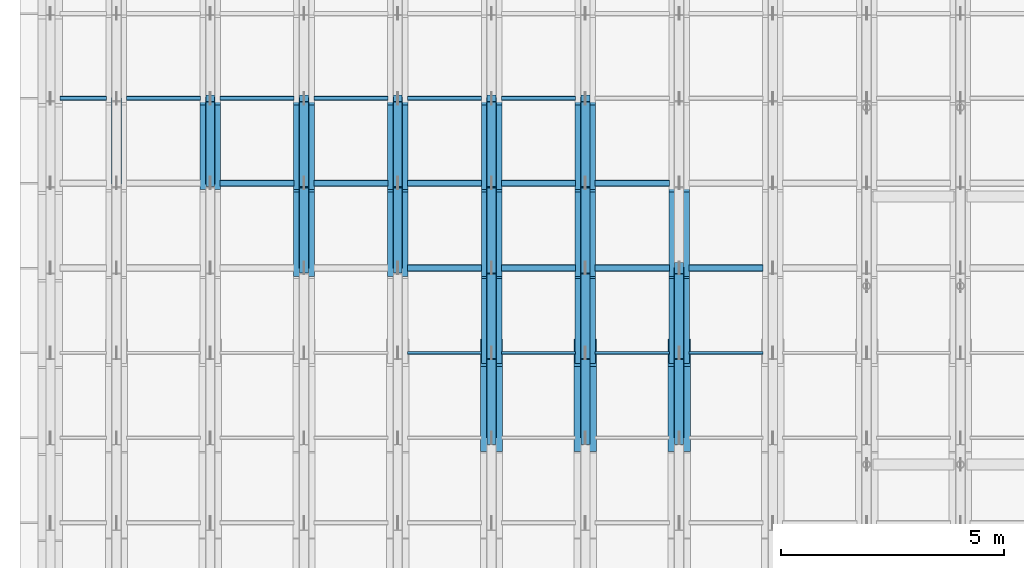
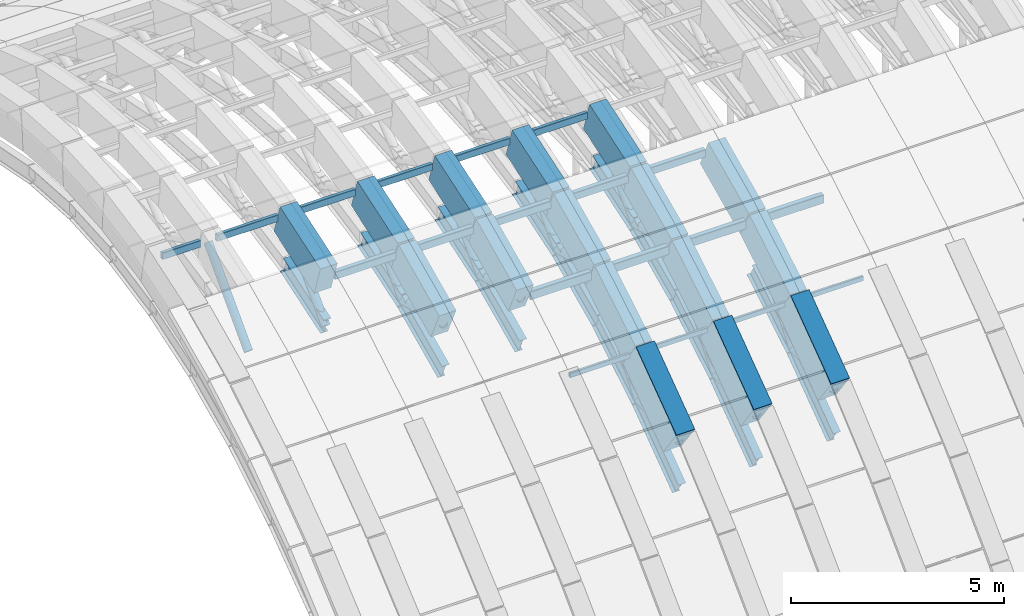
# One storey, part 4 of 67: 35 members, 31 beams.
"""IFC4 building model written with IfcOpenShell, lengths in metres."""

from ifc_helpers import new_model, si_unit, direction, frame, origin, origin_2d, place, context, subcontext, project, spatial, rectangle, hollow_rectangle, hollow_circle, i_section, extrude, material, material_profile, profile_set, type_object, element, save


model = new_model("IFC4")

# Units and contexts
model_context = context("Model", 3, precision=1e-05, world=origin(), true_north=direction((0.0, 1.0)))
body_context = subcontext(model_context, "Body", "Model", "MODEL_VIEW")
ifc_project = project(units=[si_unit("LENGTHUNIT", "METRE"), si_unit("AREAUNIT", "SQUARE_METRE"), si_unit("VOLUMEUNIT", "CUBIC_METRE"), si_unit("PLANEANGLEUNIT", "RADIAN"), si_unit("MASSUNIT", "GRAM", prefix="KILO")], contexts=[model_context])

# Site, building, storey
site_placement = place(None, origin())
site = spatial("IfcSite", under=ifc_project, at=site_placement, CompositionType="ELEMENT")
building_placement = place(site_placement, origin())
building = spatial("IfcBuilding", under=site, at=building_placement, Name="Shengluoqiao Park Theatre", CompositionType="ELEMENT")
storey_placement = place(building_placement, frame((0.0, 0.0, 28.60009765625)))
storey = spatial("IfcBuildingStorey", under=building, at=storey_placement, Name="Roof", CompositionType="ELEMENT", Elevation=28.60009765625)

# Beams
ifc_material_1 = material(Name="Concrete C50", Category="concrete")
ifc_material_profile_1 = material_profile(ifc_material_1, rectangle(XDim=0.4599609375, YDim=0.919921875, at=origin_2d()), Name="RC ARCH 460x920")
ifc_profile_set_1 = profile_set([ifc_material_profile_1], Name="Concrete C50")
beam_type_1 = type_object("IfcBeamType", Name="STR-BM-AR-4609", PredefinedType="BEAM", material=ifc_profile_set_1)
beam_1_placement = place(storey_placement, frame((48.60009765625, 89.300048828125, 1.44580078125), z_axis=(0.0, 0.949157901431, 0.314800378257), x_axis=(-1.0, 0.0, 0.0)))
element("IfcBeam", 1, at=beam_1_placement, inside=storey, type_object=beam_type_1, Name="Barrel-Shell Arch Rib R03-S08", PredefinedType="BEAM", context=body_context, shape_type="SweptSolid", body=[
    extrude(rectangle(XDim=0.4599609375, YDim=0.919921875, at=origin_2d()), origin(), (0.0, 0.0, 1.0), 2.001708984375),
])
beam_2_placement = place(storey_placement, frame((50.699951171875, 87.39990234375, 0.56396484375), z_axis=(0.0, 0.907077318021, 0.420964059192), x_axis=(-1.0, 0.0, 0.0)))
element("IfcBeam", 2, at=beam_2_placement, inside=storey, type_object=beam_type_1, Name="Barrel-Shell Arch Rib R04-S07", PredefinedType="BEAM", context=body_context, shape_type="SweptSolid", body=[
    extrude(rectangle(XDim=0.4599609375, YDim=0.919921875, at=origin_2d()), origin(), (0.0, 0.0, 1.0), 2.0947265625),
])
beam_3_placement = place(storey_placement, frame((50.699951171875, 89.300048828125, 1.44580078125), z_axis=(0.0, 0.949157901431, 0.314800378257), x_axis=(-1.0, 0.0, 0.0)))
element("IfcBeam", 3, at=beam_3_placement, inside=storey, type_object=beam_type_1, Name="Barrel-Shell Arch Rib R04-S08", PredefinedType="BEAM", context=body_context, shape_type="SweptSolid", body=[
    extrude(rectangle(XDim=0.4599609375, YDim=0.919921875, at=origin_2d()), origin(), (0.0, 0.0, 1.0), 2.001708984375),
])
beam_4_placement = place(storey_placement, frame((52.800048828125, 87.39990234375, 0.56396484375), z_axis=(0.0, 0.907077318021, 0.420964059192), x_axis=(-1.0, 0.0, 0.0)))
element("IfcBeam", 4, at=beam_4_placement, inside=storey, type_object=beam_type_1, Name="Barrel-Shell Arch Rib R05-S07", PredefinedType="BEAM", context=body_context, shape_type="SweptSolid", body=[
    extrude(rectangle(XDim=0.4599609375, YDim=0.919921875, at=origin_2d()), origin(), (0.0, 0.0, 1.0), 2.0947265625),
])
beam_5_placement = place(storey_placement, frame((52.800048828125, 89.300048828125, 1.44580078125), z_axis=(0.0, 0.949157901431, 0.314800378257), x_axis=(-1.0, 0.0, 0.0)))
element("IfcBeam", 5, at=beam_5_placement, inside=storey, type_object=beam_type_1, Name="Barrel-Shell Arch Rib R05-S08", PredefinedType="BEAM", context=body_context, shape_type="SweptSolid", body=[
    extrude(rectangle(XDim=0.4599609375, YDim=0.919921875, at=origin_2d()), origin(), (0.0, 0.0, 1.0), 2.001708984375),
])
beam_6_placement = place(storey_placement, frame((54.89990234375, 85.5, -0.570068359375), z_axis=(0.0, 0.858668723557, 0.512530997292), x_axis=(-1.0, 0.0, 0.0)))
element("IfcBeam", 6, at=beam_6_placement, inside=storey, type_object=beam_type_1, Name="Barrel-Shell Arch Rib R06-S06", PredefinedType="BEAM", context=body_context, shape_type="SweptSolid", body=[
    extrude(rectangle(XDim=0.4599609375, YDim=0.919921875, at=origin_2d()), origin(), (0.0, 0.0, 1.0), 2.212646484375),
])
beam_7_placement = place(storey_placement, frame((54.89990234375, 87.39990234375, 0.56396484375), z_axis=(0.0, 0.907077318021, 0.420964059192), x_axis=(-1.0, 0.0, 0.0)))
element("IfcBeam", 7, at=beam_7_placement, inside=storey, type_object=beam_type_1, Name="Barrel-Shell Arch Rib R06-S07", PredefinedType="BEAM", context=body_context, shape_type="SweptSolid", body=[
    extrude(rectangle(XDim=0.4599609375, YDim=0.919921875, at=origin_2d()), origin(), (0.0, 0.0, 1.0), 2.0947265625),
])
beam_8_placement = place(storey_placement, frame((54.89990234375, 89.300048828125, 1.44580078125), z_axis=(0.0, 0.949157901431, 0.314800378257), x_axis=(-1.0, 0.0, 0.0)))
element("IfcBeam", 8, at=beam_8_placement, inside=storey, type_object=beam_type_1, Name="Barrel-Shell Arch Rib R06-S08", PredefinedType="BEAM", context=body_context, shape_type="SweptSolid", body=[
    extrude(rectangle(XDim=0.4599609375, YDim=0.919921875, at=origin_2d()), origin(), (0.0, 0.0, 1.0), 2.001708984375),
])
beam_9_placement = place(storey_placement, frame((57.0, 85.5, -0.570068359375), z_axis=(0.0, 0.858668723557, 0.512530997292), x_axis=(-1.0, 0.0, 0.0)))
element("IfcBeam", 9, at=beam_9_placement, inside=storey, type_object=beam_type_1, Name="Barrel-Shell Arch Rib R07-S06", PredefinedType="BEAM", context=body_context, shape_type="SweptSolid", body=[
    extrude(rectangle(XDim=0.4599609375, YDim=0.919921875, at=origin_2d()), origin(), (0.0, 0.0, 1.0), 2.212646484375),
])
beam_10_placement = place(storey_placement, frame((57.0, 87.39990234375, 0.56396484375), z_axis=(0.0, 0.907077318021, 0.420964059192), x_axis=(-1.0, 0.0, 0.0)))
element("IfcBeam", 10, at=beam_10_placement, inside=storey, type_object=beam_type_1, Name="Barrel-Shell Arch Rib R07-S07", PredefinedType="BEAM", context=body_context, shape_type="SweptSolid", body=[
    extrude(rectangle(XDim=0.4599609375, YDim=0.919921875, at=origin_2d()), origin(), (0.0, 0.0, 1.0), 2.0947265625),
])
beam_11_placement = place(storey_placement, frame((57.0, 89.300048828125, 1.44580078125), z_axis=(0.0, 0.949157901431, 0.314800378257), x_axis=(-1.0, 0.0, 0.0)))
element("IfcBeam", 11, at=beam_11_placement, inside=storey, type_object=beam_type_1, Name="Barrel-Shell Arch Rib R07-S08", PredefinedType="BEAM", context=body_context, shape_type="SweptSolid", body=[
    extrude(rectangle(XDim=0.4599609375, YDim=0.919921875, at=origin_2d()), origin(), (0.0, 0.0, 1.0), 2.001708984375),
])
beam_12_placement = place(storey_placement, frame((59.10009765625, 85.5, -0.570068359375), z_axis=(0.0, 0.858668723557, 0.512530997292), x_axis=(-1.0, 0.0, 0.0)))
element("IfcBeam", 12, at=beam_12_placement, inside=storey, type_object=beam_type_1, Name="Barrel-Shell Arch Rib R08-S06", PredefinedType="BEAM", context=body_context, shape_type="SweptSolid", body=[
    extrude(rectangle(XDim=0.4599609375, YDim=0.919921875, at=origin_2d()), origin(), (0.0, 0.0, 1.0), 2.212646484375),
])
beam_13_placement = place(storey_placement, frame((59.10009765625, 87.39990234375, 0.56396484375), z_axis=(0.0, 0.907077318021, 0.420964059192), x_axis=(-1.0, 0.0, 0.0)))
element("IfcBeam", 13, at=beam_13_placement, inside=storey, type_object=beam_type_1, Name="Barrel-Shell Arch Rib R08-S07", PredefinedType="BEAM", context=body_context, shape_type="SweptSolid", body=[
    extrude(rectangle(XDim=0.4599609375, YDim=0.919921875, at=origin_2d()), origin(), (0.0, 0.0, 1.0), 2.0947265625),
])
ifc_material_profile_2 = material_profile(ifc_material_1, rectangle(XDim=0.5, YDim=1.050048828125, at=origin_2d()), Name="RC ARCH 500x1050")
ifc_profile_set_2 = profile_set([ifc_material_profile_2], Name="Concrete C50")
beam_type_2 = type_object("IfcBeamType", Name="STR-BM-AR-5010", PredefinedType="BEAM", material=ifc_profile_set_2)
for number, where, z_axis, x_axis, name in (
    (14, (54.89990234375, 83.60009765625, -1.9560546875), (0.0, 0.807877780345, 0.589350058985), (-1.0, 0.0, 0.0), "Barrel-Shell Arch Rib R06-S05"),
    (15, (57.0, 83.60009765625, -1.9560546875), (0.0, 0.807877780345, 0.589350058985), (-1.0, 0.0, 0.0), "Barrel-Shell Arch Rib R07-S05"),
    (16, (59.10009765625, 83.60009765625, -1.9560546875), (0.0, 0.807877780345, 0.589350058985), (-1.0, 0.0, 0.0), "Barrel-Shell Arch Rib R08-S05"),
):
    element("IfcBeam", number, at=place(storey_placement, frame(where, z_axis=z_axis, x_axis=x_axis)), inside=storey, type_object=beam_type_2, Name=name, PredefinedType="BEAM", context=body_context, shape_type="SweptSolid", body=[
        extrude(rectangle(XDim=0.5, YDim=1.050048828125, at=origin_2d()), origin(), (0.0, 0.0, 1.0), 2.351806640625),
    ])
ifc_material_2 = material(Name="Steel Q355", Category="steel")
ifc_material_profile_3 = material_profile(ifc_material_2, i_section(OverallWidth=0.199951171875, OverallDepth=0.5, WebThickness=0.010009765625, FlangeThickness=0.01611328125, FilletRadius=0.01806640625, at=origin_2d()), Name="HN 500x200x10x16")
ifc_profile_set_3 = profile_set([ifc_material_profile_3], Name="Steel Q355")
beam_type_3 = type_object("IfcBeamType", Name="STR-BM-J-HN500", PredefinedType="JOIST", material=ifc_profile_set_3)
beam_14_placement = place(storey_placement, frame((48.60009765625, 89.300048828125, 0.0859375), z_axis=(0.0, 0.949194340043, 0.314690490531), x_axis=(-1.0, 0.0, 0.0)))
element("IfcBeam", 17, at=beam_14_placement, inside=storey, type_object=beam_type_3, Name="Barrel-Shell Lower Arch Chord R03-S08", PredefinedType="JOIST", context=body_context, shape_type="SweptSolid", body=[
    extrude(i_section(OverallWidth=0.199951171875, OverallDepth=0.5, WebThickness=0.010009765625, FlangeThickness=0.01611328125, FilletRadius=0.01806640625, at=origin_2d()), origin(), (0.0, 0.0, 1.0), 2.001708984375),
])
beam_15_placement = place(storey_placement, frame((50.699951171875, 87.39990234375, -0.796142578125), z_axis=(0.0, 0.907032812412, 0.421059944911), x_axis=(-1.0, 0.0, 0.0)))
element("IfcBeam", 18, at=beam_15_placement, inside=storey, type_object=beam_type_3, Name="Barrel-Shell Lower Arch Chord R04-S07", PredefinedType="JOIST", context=body_context, shape_type="SweptSolid", body=[
    extrude(i_section(OverallWidth=0.199951171875, OverallDepth=0.5, WebThickness=0.010009765625, FlangeThickness=0.01611328125, FilletRadius=0.01806640625, at=origin_2d()), origin(), (0.0, 0.0, 1.0), 2.094970703125),
])
beam_16_placement = place(storey_placement, frame((50.699951171875, 89.300048828125, 0.0859375), z_axis=(0.0, 0.949194340043, 0.314690490531), x_axis=(-1.0, 0.0, 0.0)))
element("IfcBeam", 19, at=beam_16_placement, inside=storey, type_object=beam_type_3, Name="Barrel-Shell Lower Arch Chord R04-S08", PredefinedType="JOIST", context=body_context, shape_type="SweptSolid", body=[
    extrude(i_section(OverallWidth=0.199951171875, OverallDepth=0.5, WebThickness=0.010009765625, FlangeThickness=0.01611328125, FilletRadius=0.01806640625, at=origin_2d()), origin(), (0.0, 0.0, 1.0), 2.001708984375),
])
beam_17_placement = place(storey_placement, frame((52.800048828125, 87.39990234375, -0.796142578125), z_axis=(0.0, 0.907032812412, 0.421059944911), x_axis=(-1.0, 0.0, 0.0)))
element("IfcBeam", 20, at=beam_17_placement, inside=storey, type_object=beam_type_3, Name="Barrel-Shell Lower Arch Chord R05-S07", PredefinedType="JOIST", context=body_context, shape_type="SweptSolid", body=[
    extrude(i_section(OverallWidth=0.199951171875, OverallDepth=0.5, WebThickness=0.010009765625, FlangeThickness=0.01611328125, FilletRadius=0.01806640625, at=origin_2d()), origin(), (0.0, 0.0, 1.0), 2.094970703125),
])
beam_18_placement = place(storey_placement, frame((52.800048828125, 89.300048828125, 0.0859375), z_axis=(0.0, 0.949194340043, 0.314690490531), x_axis=(-1.0, 0.0, 0.0)))
element("IfcBeam", 21, at=beam_18_placement, inside=storey, type_object=beam_type_3, Name="Barrel-Shell Lower Arch Chord R05-S08", PredefinedType="JOIST", context=body_context, shape_type="SweptSolid", body=[
    extrude(i_section(OverallWidth=0.199951171875, OverallDepth=0.5, WebThickness=0.010009765625, FlangeThickness=0.01611328125, FilletRadius=0.01806640625, at=origin_2d()), origin(), (0.0, 0.0, 1.0), 2.001708984375),
])
beam_19_placement = place(storey_placement, frame((54.89990234375, 83.60009765625, -3.316162109375), z_axis=(0.0, 0.807877780345, 0.589350058985), x_axis=(-1.0, 0.0, 0.0)))
element("IfcBeam", 22, at=beam_19_placement, inside=storey, type_object=beam_type_3, Name="Barrel-Shell Lower Arch Chord R06-S05", PredefinedType="JOIST", context=body_context, shape_type="SweptSolid", body=[
    extrude(i_section(OverallWidth=0.199951171875, OverallDepth=0.5, WebThickness=0.010009765625, FlangeThickness=0.01611328125, FilletRadius=0.01806640625, at=origin_2d()), origin(), (0.0, 0.0, 1.0), 2.351806640625),
])
beam_20_placement = place(storey_placement, frame((54.89990234375, 85.5, -1.93017578125), z_axis=(0.0, 0.858668723557, 0.512530997292), x_axis=(-1.0, 0.0, 0.0)))
element("IfcBeam", 23, at=beam_20_placement, inside=storey, type_object=beam_type_3, Name="Barrel-Shell Lower Arch Chord R06-S06", PredefinedType="JOIST", context=body_context, shape_type="SweptSolid", body=[
    extrude(i_section(OverallWidth=0.199951171875, OverallDepth=0.5, WebThickness=0.010009765625, FlangeThickness=0.01611328125, FilletRadius=0.01806640625, at=origin_2d()), origin(), (0.0, 0.0, 1.0), 2.212646484375),
])
beam_21_placement = place(storey_placement, frame((54.89990234375, 87.39990234375, -0.796142578125), z_axis=(0.0, 0.907032812412, 0.421059944911), x_axis=(-1.0, 0.0, 0.0)))
element("IfcBeam", 24, at=beam_21_placement, inside=storey, type_object=beam_type_3, Name="Barrel-Shell Lower Arch Chord R06-S07", PredefinedType="JOIST", context=body_context, shape_type="SweptSolid", body=[
    extrude(i_section(OverallWidth=0.199951171875, OverallDepth=0.5, WebThickness=0.010009765625, FlangeThickness=0.01611328125, FilletRadius=0.01806640625, at=origin_2d()), origin(), (0.0, 0.0, 1.0), 2.094970703125),
])
beam_22_placement = place(storey_placement, frame((54.89990234375, 89.300048828125, 0.0859375), z_axis=(0.0, 0.949194340043, 0.314690490531), x_axis=(-1.0, 0.0, 0.0)))
element("IfcBeam", 25, at=beam_22_placement, inside=storey, type_object=beam_type_3, Name="Barrel-Shell Lower Arch Chord R06-S08", PredefinedType="JOIST", context=body_context, shape_type="SweptSolid", body=[
    extrude(i_section(OverallWidth=0.199951171875, OverallDepth=0.5, WebThickness=0.010009765625, FlangeThickness=0.01611328125, FilletRadius=0.01806640625, at=origin_2d()), origin(), (0.0, 0.0, 1.0), 2.001708984375),
])
beam_23_placement = place(storey_placement, frame((57.0, 83.60009765625, -3.316162109375), z_axis=(0.0, 0.807877780345, 0.589350058985), x_axis=(-1.0, 0.0, 0.0)))
element("IfcBeam", 26, at=beam_23_placement, inside=storey, type_object=beam_type_3, Name="Barrel-Shell Lower Arch Chord R07-S05", PredefinedType="JOIST", context=body_context, shape_type="SweptSolid", body=[
    extrude(i_section(OverallWidth=0.199951171875, OverallDepth=0.5, WebThickness=0.010009765625, FlangeThickness=0.01611328125, FilletRadius=0.01806640625, at=origin_2d()), origin(), (0.0, 0.0, 1.0), 2.351806640625),
])
beam_24_placement = place(storey_placement, frame((57.0, 85.5, -1.93017578125), z_axis=(0.0, 0.858668723557, 0.512530997292), x_axis=(-1.0, 0.0, 0.0)))
element("IfcBeam", 27, at=beam_24_placement, inside=storey, type_object=beam_type_3, Name="Barrel-Shell Lower Arch Chord R07-S06", PredefinedType="JOIST", context=body_context, shape_type="SweptSolid", body=[
    extrude(i_section(OverallWidth=0.199951171875, OverallDepth=0.5, WebThickness=0.010009765625, FlangeThickness=0.01611328125, FilletRadius=0.01806640625, at=origin_2d()), origin(), (0.0, 0.0, 1.0), 2.212646484375),
])
beam_25_placement = place(storey_placement, frame((57.0, 87.39990234375, -0.796142578125), z_axis=(0.0, 0.907032812412, 0.421059944911), x_axis=(-1.0, 0.0, 0.0)))
element("IfcBeam", 28, at=beam_25_placement, inside=storey, type_object=beam_type_3, Name="Barrel-Shell Lower Arch Chord R07-S07", PredefinedType="JOIST", context=body_context, shape_type="SweptSolid", body=[
    extrude(i_section(OverallWidth=0.199951171875, OverallDepth=0.5, WebThickness=0.010009765625, FlangeThickness=0.01611328125, FilletRadius=0.01806640625, at=origin_2d()), origin(), (0.0, 0.0, 1.0), 2.094970703125),
])
beam_26_placement = place(storey_placement, frame((57.0, 89.300048828125, 0.0859375), z_axis=(0.0, 0.949194340043, 0.314690490531), x_axis=(-1.0, 0.0, 0.0)))
element("IfcBeam", 29, at=beam_26_placement, inside=storey, type_object=beam_type_3, Name="Barrel-Shell Lower Arch Chord R07-S08", PredefinedType="JOIST", context=body_context, shape_type="SweptSolid", body=[
    extrude(i_section(OverallWidth=0.199951171875, OverallDepth=0.5, WebThickness=0.010009765625, FlangeThickness=0.01611328125, FilletRadius=0.01806640625, at=origin_2d()), origin(), (0.0, 0.0, 1.0), 2.001708984375),
])
beam_27_placement = place(storey_placement, frame((59.10009765625, 83.60009765625, -3.316162109375), z_axis=(0.0, 0.807877780345, 0.589350058985), x_axis=(-1.0, 0.0, 0.0)))
element("IfcBeam", 30, at=beam_27_placement, inside=storey, type_object=beam_type_3, Name="Barrel-Shell Lower Arch Chord R08-S05", PredefinedType="JOIST", context=body_context, shape_type="SweptSolid", body=[
    extrude(i_section(OverallWidth=0.199951171875, OverallDepth=0.5, WebThickness=0.010009765625, FlangeThickness=0.01611328125, FilletRadius=0.01806640625, at=origin_2d()), origin(), (0.0, 0.0, 1.0), 2.351806640625),
])
beam_28_placement = place(storey_placement, frame((59.10009765625, 85.5, -1.93017578125), z_axis=(0.0, 0.858668723557, 0.512530997292), x_axis=(-1.0, 0.0, 0.0)))
element("IfcBeam", 31, at=beam_28_placement, inside=storey, type_object=beam_type_3, Name="Barrel-Shell Lower Arch Chord R08-S06", PredefinedType="JOIST", context=body_context, shape_type="SweptSolid", body=[
    extrude(i_section(OverallWidth=0.199951171875, OverallDepth=0.5, WebThickness=0.010009765625, FlangeThickness=0.01611328125, FilletRadius=0.01806640625, at=origin_2d()), origin(), (0.0, 0.0, 1.0), 2.212646484375),
])

# Members
ifc_material_profile_4 = material_profile(ifc_material_2, hollow_circle(Radius=0.109619140625, WallThickness=0.010009765625, at=origin_2d()), Name="CHS 219x10")
ifc_profile_set_4 = profile_set([ifc_material_profile_4], Name="Steel Q355")
member_type_1 = type_object("IfcMemberType", Name="STR-MEM-BRC-219", PredefinedType="BRACE", material=ifc_profile_set_4)
for number, where, z_axis, x_axis, name in (
    (32, (46.5, 89.300048828125, 0.0859375), (0.0, 0.690545389436, 0.723289060562), (-1.0, 0.0, 0.0), "Barrel-Shell Arch Truss Web 0028"),
    (33, (48.60009765625, 89.300048828125, 0.0859375), (0.0, 0.690545389436, 0.723289060562), (-1.0, 0.0, 0.0), "Barrel-Shell Arch Truss Web 0048"),
):
    element("IfcMember", number, at=place(storey_placement, frame(where, z_axis=z_axis, x_axis=x_axis)), inside=storey, type_object=member_type_1, Name=name, PredefinedType="BRACE", context=body_context, shape_type="SweptSolid", body=[
        extrude(hollow_circle(Radius=0.109619140625, WallThickness=0.010009765625, at=origin_2d()), origin(), (0.0, 0.0, 1.0), 2.751220703125),
    ])
member_1_placement = place(storey_placement, frame((50.699951171875, 87.39990234375, 0.56396484375), z_axis=(0.0, 0.96978228772, -0.243971954176), x_axis=(-1.0, 0.0, 0.0)))
element("IfcMember", 34, at=member_1_placement, inside=storey, type_object=member_type_1, Name="Barrel-Shell Arch Truss Web 0067", PredefinedType="BRACE", context=body_context, shape_type="SweptSolid", body=[
    extrude(hollow_circle(Radius=0.109619140625, WallThickness=0.010009765625, at=origin_2d()), origin(), (0.0, 0.0, 1.0), 1.95947265625),
])
member_2_placement = place(storey_placement, frame((50.699951171875, 89.300048828125, 0.0859375), z_axis=(0.0, 0.690545389436, 0.723289060562), x_axis=(-1.0, 0.0, 0.0)))
element("IfcMember", 35, at=member_2_placement, inside=storey, type_object=member_type_1, Name="Barrel-Shell Arch Truss Web 0068", PredefinedType="BRACE", context=body_context, shape_type="SweptSolid", body=[
    extrude(hollow_circle(Radius=0.109619140625, WallThickness=0.010009765625, at=origin_2d()), origin(), (0.0, 0.0, 1.0), 2.751220703125),
])
member_3_placement = place(storey_placement, frame((52.800048828125, 87.39990234375, 0.56396484375), z_axis=(0.0, 0.96978228772, -0.243971954176), x_axis=(-1.0, 0.0, 0.0)))
element("IfcMember", 36, at=member_3_placement, inside=storey, type_object=member_type_1, Name="Barrel-Shell Arch Truss Web 0087", PredefinedType="BRACE", context=body_context, shape_type="SweptSolid", body=[
    extrude(hollow_circle(Radius=0.109619140625, WallThickness=0.010009765625, at=origin_2d()), origin(), (0.0, 0.0, 1.0), 1.95947265625),
])
member_4_placement = place(storey_placement, frame((52.800048828125, 89.300048828125, 0.0859375), z_axis=(0.0, 0.690545389436, 0.723289060562), x_axis=(-1.0, 0.0, 0.0)))
element("IfcMember", 37, at=member_4_placement, inside=storey, type_object=member_type_1, Name="Barrel-Shell Arch Truss Web 0088", PredefinedType="BRACE", context=body_context, shape_type="SweptSolid", body=[
    extrude(hollow_circle(Radius=0.109619140625, WallThickness=0.010009765625, at=origin_2d()), origin(), (0.0, 0.0, 1.0), 2.751220703125),
])
member_5_placement = place(storey_placement, frame((54.89990234375, 83.60009765625, -1.9560546875), z_axis=(0.0, 0.999907244674, 0.013619913639), x_axis=(-1.0, 0.0, 0.0)))
element("IfcMember", 38, at=member_5_placement, inside=storey, type_object=member_type_1, Name="Barrel-Shell Arch Truss Web 0105", PredefinedType="BRACE", context=body_context, shape_type="SweptSolid", body=[
    extrude(hollow_circle(Radius=0.109619140625, WallThickness=0.010009765625, at=origin_2d()), origin(), (0.0, 0.0, 1.0), 1.900146484375),
])
member_6_placement = place(storey_placement, frame((54.89990234375, 85.5, -1.93017578125), z_axis=(0.0, 0.605963445698, 0.795492490523), x_axis=(-1.0, 0.0, 0.0)))
element("IfcMember", 39, at=member_6_placement, inside=storey, type_object=member_type_1, Name="Barrel-Shell Arch Truss Web 0106", PredefinedType="BRACE", context=body_context, shape_type="SweptSolid", body=[
    extrude(hollow_circle(Radius=0.109619140625, WallThickness=0.010009765625, at=origin_2d()), origin(), (0.0, 0.0, 1.0), 3.13525390625),
])
member_7_placement = place(storey_placement, frame((54.89990234375, 87.39990234375, 0.56396484375), z_axis=(0.0, 0.96978228772, -0.243971954176), x_axis=(-1.0, 0.0, 0.0)))
element("IfcMember", 40, at=member_7_placement, inside=storey, type_object=member_type_1, Name="Barrel-Shell Arch Truss Web 0107", PredefinedType="BRACE", context=body_context, shape_type="SweptSolid", body=[
    extrude(hollow_circle(Radius=0.109619140625, WallThickness=0.010009765625, at=origin_2d()), origin(), (0.0, 0.0, 1.0), 1.95947265625),
])
member_8_placement = place(storey_placement, frame((54.89990234375, 89.300048828125, 0.0859375), z_axis=(0.0, 0.690545389436, 0.723289060562), x_axis=(-1.0, 0.0, 0.0)))
element("IfcMember", 41, at=member_8_placement, inside=storey, type_object=member_type_1, Name="Barrel-Shell Arch Truss Web 0108", PredefinedType="BRACE", context=body_context, shape_type="SweptSolid", body=[
    extrude(hollow_circle(Radius=0.109619140625, WallThickness=0.010009765625, at=origin_2d()), origin(), (0.0, 0.0, 1.0), 2.751220703125),
])
member_9_placement = place(storey_placement, frame((57.0, 83.60009765625, -1.9560546875), z_axis=(0.0, 0.999907244674, 0.013619913639), x_axis=(-1.0, 0.0, 0.0)))
element("IfcMember", 42, at=member_9_placement, inside=storey, type_object=member_type_1, Name="Barrel-Shell Arch Truss Web 0125", PredefinedType="BRACE", context=body_context, shape_type="SweptSolid", body=[
    extrude(hollow_circle(Radius=0.109619140625, WallThickness=0.010009765625, at=origin_2d()), origin(), (0.0, 0.0, 1.0), 1.900146484375),
])
member_10_placement = place(storey_placement, frame((57.0, 85.5, -1.93017578125), z_axis=(0.0, 0.605963445698, 0.795492490523), x_axis=(-1.0, 0.0, 0.0)))
element("IfcMember", 43, at=member_10_placement, inside=storey, type_object=member_type_1, Name="Barrel-Shell Arch Truss Web 0126", PredefinedType="BRACE", context=body_context, shape_type="SweptSolid", body=[
    extrude(hollow_circle(Radius=0.109619140625, WallThickness=0.010009765625, at=origin_2d()), origin(), (0.0, 0.0, 1.0), 3.13525390625),
])
member_11_placement = place(storey_placement, frame((57.0, 87.39990234375, 0.56396484375), z_axis=(0.0, 0.96978228772, -0.243971954176), x_axis=(-1.0, 0.0, 0.0)))
element("IfcMember", 44, at=member_11_placement, inside=storey, type_object=member_type_1, Name="Barrel-Shell Arch Truss Web 0127", PredefinedType="BRACE", context=body_context, shape_type="SweptSolid", body=[
    extrude(hollow_circle(Radius=0.109619140625, WallThickness=0.010009765625, at=origin_2d()), origin(), (0.0, 0.0, 1.0), 1.95947265625),
])
member_12_placement = place(storey_placement, frame((57.0, 89.300048828125, 0.0859375), z_axis=(0.0, 0.690545389436, 0.723289060562), x_axis=(-1.0, 0.0, 0.0)))
element("IfcMember", 45, at=member_12_placement, inside=storey, type_object=member_type_1, Name="Barrel-Shell Arch Truss Web 0128", PredefinedType="BRACE", context=body_context, shape_type="SweptSolid", body=[
    extrude(hollow_circle(Radius=0.109619140625, WallThickness=0.010009765625, at=origin_2d()), origin(), (0.0, 0.0, 1.0), 2.751220703125),
])
member_13_placement = place(storey_placement, frame((59.10009765625, 83.60009765625, -1.9560546875), z_axis=(0.0, 0.999907244674, 0.013619913639), x_axis=(-1.0, 0.0, 0.0)))
element("IfcMember", 46, at=member_13_placement, inside=storey, type_object=member_type_1, Name="Barrel-Shell Arch Truss Web 0145", PredefinedType="BRACE", context=body_context, shape_type="SweptSolid", body=[
    extrude(hollow_circle(Radius=0.109619140625, WallThickness=0.010009765625, at=origin_2d()), origin(), (0.0, 0.0, 1.0), 1.900146484375),
])
member_14_placement = place(storey_placement, frame((59.10009765625, 85.5, -1.93017578125), z_axis=(0.0, 0.605963445698, 0.795492490523), x_axis=(-1.0, 0.0, 0.0)))
element("IfcMember", 47, at=member_14_placement, inside=storey, type_object=member_type_1, Name="Barrel-Shell Arch Truss Web 0146", PredefinedType="BRACE", context=body_context, shape_type="SweptSolid", body=[
    extrude(hollow_circle(Radius=0.109619140625, WallThickness=0.010009765625, at=origin_2d()), origin(), (0.0, 0.0, 1.0), 3.13525390625),
])
ifc_material_profile_5 = material_profile(ifc_material_2, hollow_rectangle(XDim=0.070068359375, YDim=0.139892578125, WallThickness=0.006103515625, InnerFilletRadius=0.006103515625, OuterFilletRadius=0.011962890625, at=origin_2d()), Name="RHS 140x70x6")
ifc_profile_set_5 = profile_set([ifc_material_profile_5], Name="Steel Q355")
member_type_2 = type_object("IfcMemberType", Name="STR-MEM-PU-R140", PredefinedType="PURLIN", material=ifc_profile_set_5)
for number, where, z_axis, x_axis, name in (
    (48, (53.02001953125, 85.5, -0.570068359375), (1.0, 0.0, 0.0), (0.0, 1.0, 0.0), "Shell Longitudinal Purlin 0081"),
    (49, (55.1201171875, 85.5, -0.570068359375), (1.0, 0.0, 0.0), (0.0, 1.0, 0.0), "Shell Longitudinal Purlin 0100"),
    (50, (57.219970703125, 85.5, -0.570068359375), (1.0, 0.0, 0.0), (0.0, 1.0, 0.0), "Shell Longitudinal Purlin 0119"),
    (51, (59.320068359375, 85.5, -0.570068359375), (1.0, 0.0, 0.0), (0.0, 1.0, 0.0), "Shell Longitudinal Purlin 0138"),
):
    element("IfcMember", number, at=place(storey_placement, frame(where, z_axis=z_axis, x_axis=x_axis)), inside=storey, type_object=member_type_2, Name=name, PredefinedType="PURLIN", context=body_context, shape_type="SweptSolid", body=[
        extrude(hollow_rectangle(XDim=0.070068359375, YDim=0.139892578125, WallThickness=0.006103515625, InnerFilletRadius=0.006103515625, OuterFilletRadius=0.011962890625, at=origin_2d()), origin(), (0.0, 0.0, 1.0), 1.659912109375),
    ])
ifc_material_profile_6 = material_profile(ifc_material_2, hollow_rectangle(XDim=0.10009765625, YDim=0.199951171875, WallThickness=0.008056640625, InnerFilletRadius=0.008056640625, OuterFilletRadius=0.01611328125, at=origin_2d()), Name="RHS 200x100x8")
ifc_profile_set_6 = profile_set([ifc_material_profile_6], Name="Steel Q355")
member_type_3 = type_object("IfcMemberType", Name="STR-MEM-PU-R200", PredefinedType="PURLIN", material=ifc_profile_set_6)
member_15_placement = place(storey_placement, frame((45.239990234375, 91.199951171875, 2.1259765625), z_axis=(1.0, 0.0, 0.0), x_axis=(0.0, 1.0, 0.0)))
element("IfcMember", 52, at=member_15_placement, inside=storey, type_object=member_type_3, Name="Shell Longitudinal Purlin 0008", PredefinedType="PURLIN", context=body_context, shape_type="SweptSolid", body=[
    extrude(hollow_rectangle(XDim=0.10009765625, YDim=0.199951171875, WallThickness=0.008056640625, InnerFilletRadius=0.008056640625, OuterFilletRadius=0.01611328125, at=origin_2d()), origin(), (0.0, 0.0, 1.0), 1.0400390625),
])
for number, where, z_axis, x_axis, name in (
    (53, (46.719970703125, 91.199951171875, 2.1259765625), (1.0, 0.0, 0.0), (0.0, 1.0, 0.0), "Shell Longitudinal Purlin 0027"),
    (54, (48.820068359375, 91.199951171875, 2.1259765625), (1.0, 0.0, 0.0), (0.0, 1.0, 0.0), "Shell Longitudinal Purlin 0046"),
):
    element("IfcMember", number, at=place(storey_placement, frame(where, z_axis=z_axis, x_axis=x_axis)), inside=storey, type_object=member_type_3, Name=name, PredefinedType="PURLIN", context=body_context, shape_type="SweptSolid", body=[
        extrude(hollow_rectangle(XDim=0.10009765625, YDim=0.199951171875, WallThickness=0.008056640625, InnerFilletRadius=0.008056640625, OuterFilletRadius=0.01611328125, at=origin_2d()), origin(), (0.0, 0.0, 1.0), 1.659912109375),
    ])
member_16_placement = place(storey_placement, frame((50.919921875, 91.199951171875, 2.1259765625), z_axis=(1.0, 0.0, 0.0), x_axis=(0.0, 1.0, 0.0)))
element("IfcMember", 55, at=member_16_placement, inside=storey, type_object=member_type_3, Name="Shell Longitudinal Purlin 0065", PredefinedType="PURLIN", context=body_context, shape_type="SweptSolid", body=[
    extrude(hollow_rectangle(XDim=0.10009765625, YDim=0.199951171875, WallThickness=0.008056640625, InnerFilletRadius=0.008056640625, OuterFilletRadius=0.01611328125, at=origin_2d()), origin(), (0.0, 0.0, 1.0), 1.66015625),
])
for number, where, z_axis, x_axis, name in (
    (56, (53.02001953125, 91.199951171875, 2.1259765625), (1.0, 0.0, 0.0), (0.0, 1.0, 0.0), "Shell Longitudinal Purlin 0084"),
    (57, (55.1201171875, 91.199951171875, 2.1259765625), (1.0, 0.0, 0.0), (0.0, 1.0, 0.0), "Shell Longitudinal Purlin 0103"),
):
    element("IfcMember", number, at=place(storey_placement, frame(where, z_axis=z_axis, x_axis=x_axis)), inside=storey, type_object=member_type_3, Name=name, PredefinedType="PURLIN", context=body_context, shape_type="SweptSolid", body=[
        extrude(hollow_rectangle(XDim=0.10009765625, YDim=0.199951171875, WallThickness=0.008056640625, InnerFilletRadius=0.008056640625, OuterFilletRadius=0.01611328125, at=origin_2d()), origin(), (0.0, 0.0, 1.0), 1.659912109375),
    ])
ifc_material_profile_7 = material_profile(ifc_material_2, hollow_rectangle(XDim=0.139892578125, YDim=0.219970703125, WallThickness=0.010009765625, InnerFilletRadius=0.010009765625, OuterFilletRadius=0.02001953125, at=origin_2d()), Name="RHS 220x140x10")
ifc_profile_set_7 = profile_set([ifc_material_profile_7], Name="Steel Q355")
member_type_4 = type_object("IfcMemberType", Name="STR-MEM-PU-R220", PredefinedType="PURLIN", material=ifc_profile_set_7)
member_17_placement = place(storey_placement, frame((48.820068359375, 89.300048828125, 1.475830078125), z_axis=(1.0, 0.0, 0.0), x_axis=(0.0, 1.0, 0.0)))
element("IfcMember", 58, at=member_17_placement, inside=storey, type_object=member_type_4, Name="Shell Longitudinal Purlin 0045", PredefinedType="PURLIN", context=body_context, shape_type="SweptSolid", body=[
    extrude(hollow_rectangle(XDim=0.139892578125, YDim=0.219970703125, WallThickness=0.010009765625, InnerFilletRadius=0.010009765625, OuterFilletRadius=0.02001953125, at=origin_2d()), origin(), (0.0, 0.0, 1.0), 1.659912109375),
])
member_18_placement = place(storey_placement, frame((50.919921875, 89.300048828125, 1.475830078125), z_axis=(1.0, 0.0, 0.0), x_axis=(0.0, 1.0, 0.0)))
element("IfcMember", 59, at=member_18_placement, inside=storey, type_object=member_type_4, Name="Shell Longitudinal Purlin 0064", PredefinedType="PURLIN", context=body_context, shape_type="SweptSolid", body=[
    extrude(hollow_rectangle(XDim=0.139892578125, YDim=0.219970703125, WallThickness=0.010009765625, InnerFilletRadius=0.010009765625, OuterFilletRadius=0.02001953125, at=origin_2d()), origin(), (0.0, 0.0, 1.0), 1.66015625),
])
for number, where, z_axis, x_axis, name in (
    (60, (53.02001953125, 89.300048828125, 1.475830078125), (1.0, 0.0, 0.0), (0.0, 1.0, 0.0), "Shell Longitudinal Purlin 0083"),
    (61, (55.1201171875, 89.300048828125, 1.475830078125), (1.0, 0.0, 0.0), (0.0, 1.0, 0.0), "Shell Longitudinal Purlin 0102"),
    (62, (57.219970703125, 89.300048828125, 1.475830078125), (1.0, 0.0, 0.0), (0.0, 1.0, 0.0), "Shell Longitudinal Purlin 0121"),
):
    element("IfcMember", number, at=place(storey_placement, frame(where, z_axis=z_axis, x_axis=x_axis)), inside=storey, type_object=member_type_4, Name=name, PredefinedType="PURLIN", context=body_context, shape_type="SweptSolid", body=[
        extrude(hollow_rectangle(XDim=0.139892578125, YDim=0.219970703125, WallThickness=0.010009765625, InnerFilletRadius=0.010009765625, OuterFilletRadius=0.02001953125, at=origin_2d()), origin(), (0.0, 0.0, 1.0), 1.659912109375),
    ])
ifc_material_profile_8 = material_profile(ifc_material_2, hollow_rectangle(XDim=0.14990234375, YDim=0.25, WallThickness=0.010009765625, InnerFilletRadius=0.010009765625, OuterFilletRadius=0.02001953125, at=origin_2d()), Name="RHS 250x150x10")
ifc_profile_set_8 = profile_set([ifc_material_profile_8], Name="Steel Q355")
member_type_5 = type_object("IfcMemberType", Name="STR-MEM-PU-R250", PredefinedType="PURLIN", material=ifc_profile_set_8)
for number, where, z_axis, x_axis, name in (
    (63, (53.02001953125, 87.39990234375, 0.583984375), (1.0, 0.0, 0.0), (0.0, 1.0, 0.0), "Shell Longitudinal Purlin 0082"),
    (64, (55.1201171875, 87.39990234375, 0.583984375), (1.0, 0.0, 0.0), (0.0, 1.0, 0.0), "Shell Longitudinal Purlin 0101"),
    (65, (57.219970703125, 87.39990234375, 0.583984375), (1.0, 0.0, 0.0), (0.0, 1.0, 0.0), "Shell Longitudinal Purlin 0120"),
    (66, (59.320068359375, 87.39990234375, 0.583984375), (1.0, 0.0, 0.0), (0.0, 1.0, 0.0), "Shell Longitudinal Purlin 0139"),
):
    element("IfcMember", number, at=place(storey_placement, frame(where, z_axis=z_axis, x_axis=x_axis)), inside=storey, type_object=member_type_5, Name=name, PredefinedType="PURLIN", context=body_context, shape_type="SweptSolid", body=[
        extrude(hollow_rectangle(XDim=0.14990234375, YDim=0.25, WallThickness=0.010009765625, InnerFilletRadius=0.010009765625, OuterFilletRadius=0.02001953125, at=origin_2d()), origin(), (0.0, 0.0, 1.0), 1.659912109375),
    ])

save(model, "model.ifc")
